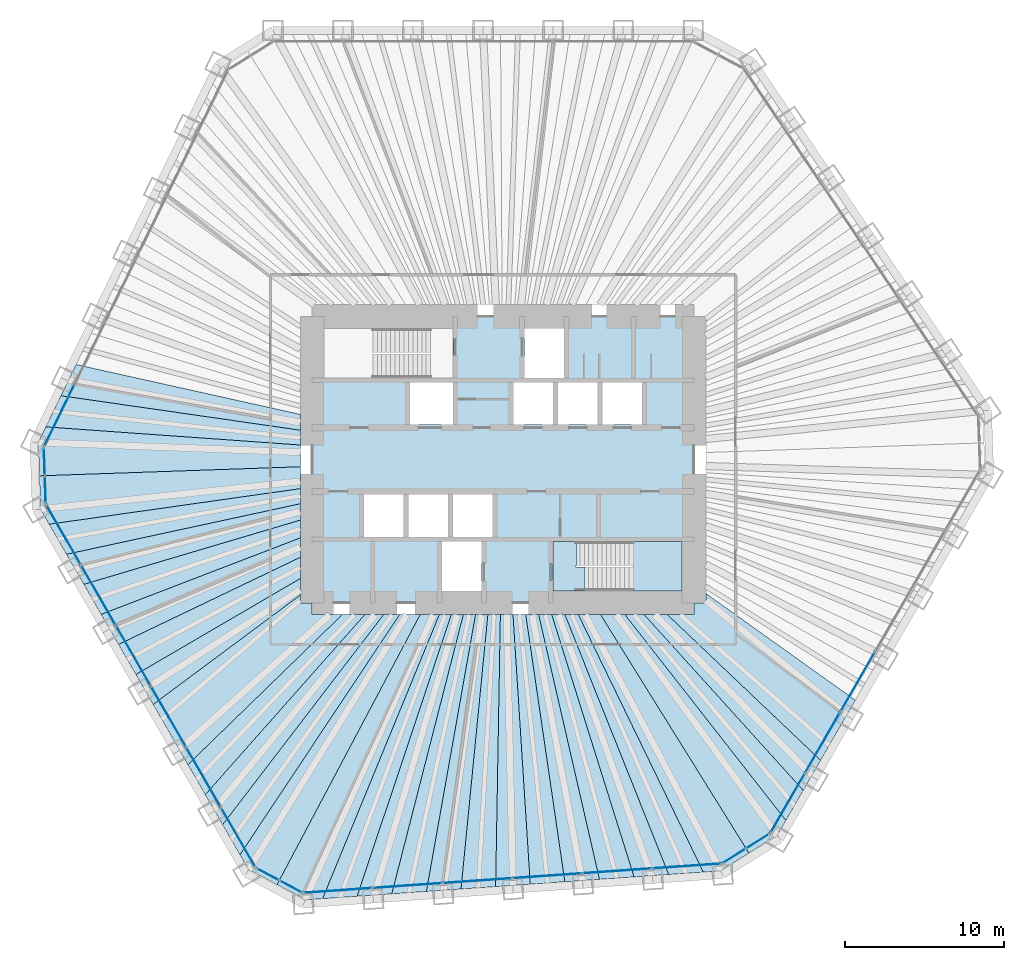
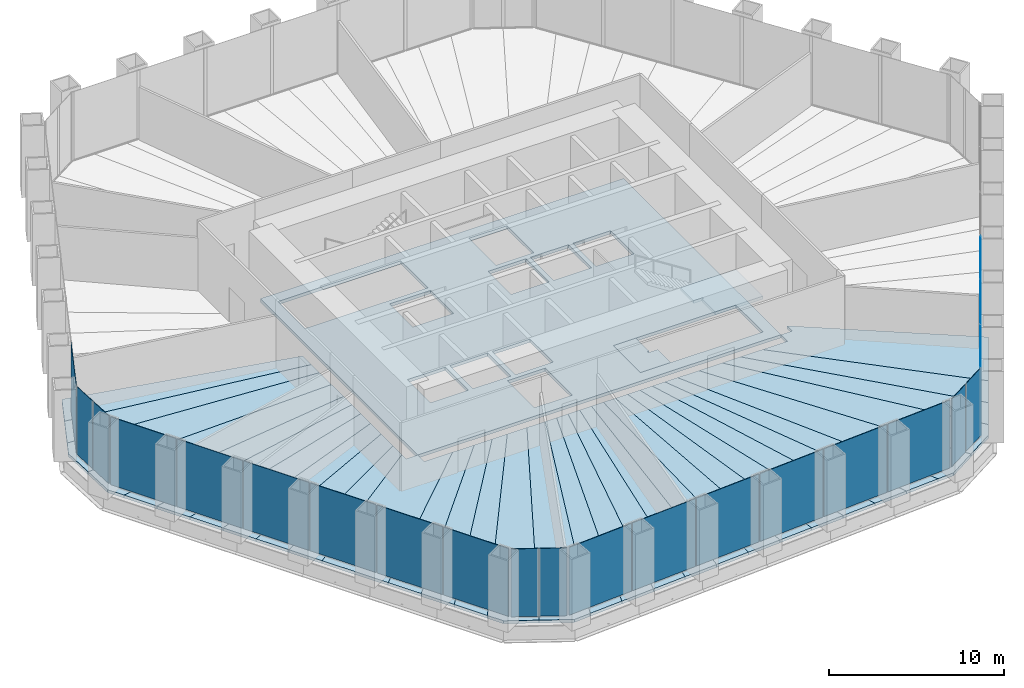
# One storey, part 8 of 13: 35 slabs, 22 plates, 8 elements without a shape of their own.
"""IFC4 building model written with IfcOpenShell, lengths in metres."""

from ifc_helpers import new_model, si_unit, direction, frame, origin, origin_2d, place, context, subcontext, project, spatial, polyline, rectangle, outline, extrude, material, layer, layer_set, type_object, element, aggregate, save


model = new_model("IFC4")

# Units and contexts
model_context = context("Model", 3, precision=1e-05, world=origin(), true_north=direction((0.0, 1.0)))
body_context = subcontext(model_context, "Body", "Model", "MODEL_VIEW")
ifc_project = project(units=[si_unit("LENGTHUNIT", "METRE"), si_unit("AREAUNIT", "SQUARE_METRE"), si_unit("VOLUMEUNIT", "CUBIC_METRE"), si_unit("PLANEANGLEUNIT", "RADIAN"), si_unit("MASSUNIT", "GRAM", prefix="KILO")], contexts=[model_context])

# Site, building, storey
site_placement = place(None, origin())
site = spatial("IfcSite", under=ifc_project, at=site_placement, CompositionType="ELEMENT")
building_placement = place(site_placement, origin())
building = spatial("IfcBuilding", under=site, at=building_placement, Name="Qingtian Harvest Tower", CompositionType="ELEMENT")
storey_placement = place(building_placement, frame((0.0, 0.0, 47.0)))
storey = spatial("IfcBuildingStorey", under=building, at=storey_placement, Name="L09", CompositionType="ELEMENT", Elevation=47.0)

# Slabs
ifc_material_1 = material(Name="Concrete fc' 35 MPa", Category="concrete")
ifc_layer_1 = layer(ifc_material_1, 0.199951171875)
ifc_layer_set_1 = layer_set([ifc_layer_1], Name="Composite floor slab FS20 200")
slab_type_1 = type_object("IfcSlabType", Name="Composite floor slab FS20 200", PredefinedType="FLOOR", material=ifc_layer_set_1)
slab_1_placement = place(storey_placement, frame((0.0, 0.0, -0.199951171875)))
element("IfcSlab", 1, at=slab_1_placement, inside=storey, type_object=slab_type_1, Name="Floor slab L09 panel D01", PredefinedType="FLOOR", context=body_context, shape_type="SweptSolid", body=[
    extrude(outline(polyline([(-29.157470703125, -1.018310546875), (-12.75, -0.447509765625), (-12.75, -1.822998046875), (-28.548583984375, -4.062255859375), (-29.08349609375, -3.135986328125), (-29.157470703125, -1.018310546875)])), origin(), (0.0, 0.0, 1.0), 0.199951171875),
])
slab_2_placement = place(storey_placement, frame((0.0, 0.0, -0.199951171875)))
element("IfcSlab", 2, at=slab_2_placement, inside=storey, type_object=slab_type_1, Name="Floor slab L09 panel D02", PredefinedType="FLOOR", context=body_context, shape_type="SweptSolid", body=[
    extrude(outline(polyline([(-12.75, -2.773681640625), (-27.45751953125, -5.9521484375), (-28.548583984375, -4.062255859375), (-12.75, -1.822998046875), (-12.75, -2.773681640625)])), origin(), (0.0, 0.0, 1.0), 0.199951171875),
])
slab_3_placement = place(storey_placement, frame((0.0, 0.0, -0.199951171875)))
element("IfcSlab", 3, at=slab_3_placement, inside=storey, type_object=slab_type_1, Name="Floor slab L09 panel D03", PredefinedType="FLOOR", context=body_context, shape_type="SweptSolid", body=[
    extrude(outline(polyline([(-12.75, -3.80322265625), (-26.366455078125, -7.842041015625), (-27.45751953125, -5.9521484375), (-12.75, -2.773681640625), (-12.75, -3.80322265625)])), origin(), (0.0, 0.0, 1.0), 0.199951171875),
])
slab_4_placement = place(storey_placement, frame((0.0, 0.0, -0.199951171875)))
element("IfcSlab", 4, at=slab_4_placement, inside=storey, type_object=slab_type_1, Name="Floor slab L09 panel D04", PredefinedType="FLOOR", context=body_context, shape_type="SweptSolid", body=[
    extrude(outline(polyline([(-12.75, -4.921875), (-25.275146484375, -9.732177734375), (-26.366455078125, -7.842041015625), (-12.75, -3.80322265625), (-12.75, -4.921875)])), origin(), (0.0, 0.0, 1.0), 0.199951171875),
])
slab_5_placement = place(storey_placement, frame((0.0, 0.0, -0.199951171875)))
element("IfcSlab", 5, at=slab_5_placement, inside=storey, type_object=slab_type_1, Name="Floor slab L09 panel D05", PredefinedType="FLOOR", context=body_context, shape_type="SweptSolid", body=[
    extrude(outline(polyline([(-12.75, -6.141357421875), (-24.18408203125, -11.6220703125), (-25.275146484375, -9.732177734375), (-12.75, -4.921875), (-12.75, -6.141357421875)])), origin(), (0.0, 0.0, 1.0), 0.199951171875),
])
slab_6_placement = place(storey_placement, frame((0.0, 0.0, -0.199951171875)))
element("IfcSlab", 6, at=slab_6_placement, inside=storey, type_object=slab_type_1, Name="Floor slab L09 panel D06", PredefinedType="FLOOR", context=body_context, shape_type="SweptSolid", body=[
    extrude(outline(polyline([(-12.75, -7.4765625), (-23.0927734375, -13.511962890625), (-24.18408203125, -11.6220703125), (-12.75, -6.141357421875), (-12.75, -7.4765625)])), origin(), (0.0, 0.0, 1.0), 0.199951171875),
])
slab_7_placement = place(storey_placement, frame((0.0, 0.0, -0.199951171875)))
element("IfcSlab", 7, at=slab_7_placement, inside=storey, type_object=slab_type_1, Name="Floor slab L09 panel D07", PredefinedType="FLOOR", context=body_context, shape_type="SweptSolid", body=[
    extrude(outline(polyline([(-12.75, -8.512451171875), (-22.00537109375, -15.3955078125), (-23.0927734375, -13.511962890625), (-12.75, -7.4765625), (-12.75, -8.512451171875)])), origin(), (0.0, 0.0, 1.0), 0.199951171875),
])
slab_8_placement = place(storey_placement, frame((0.0, 0.0, -0.199951171875)))
element("IfcSlab", 8, at=slab_8_placement, inside=storey, type_object=slab_type_1, Name="Floor slab L09 panel D09", PredefinedType="FLOOR", context=body_context, shape_type="SweptSolid", body=[
    extrude(outline(polyline([(-19.81982421875, -19.18115234375), (-22.00537109375, -15.3955078125), (-12.75, -8.512451171875), (-12.75, -9.0), (-12.0, -9.0), (-12.0, -9.75), (-10.1123046875, -9.75), (-19.81982421875, -19.18115234375)])), origin(), (0.0, 0.0, 1.0), 0.199951171875),
])
slab_9_placement = place(storey_placement, frame((0.0, 0.0, -0.199951171875)))
element("IfcSlab", 9, at=slab_9_placement, inside=storey, type_object=slab_type_1, Name="Floor slab L09 panel D10", PredefinedType="FLOOR", context=body_context, shape_type="SweptSolid", body=[
    extrude(outline(polyline([(-8.694580078125, -9.75), (-18.728515625, -21.0712890625), (-19.81982421875, -19.18115234375), (-10.1123046875, -9.75), (-8.694580078125, -9.75)])), origin(), (0.0, 0.0, 1.0), 0.199951171875),
])
slab_10_placement = place(storey_placement, frame((0.0, 0.0, -0.199951171875)))
element("IfcSlab", 10, at=slab_10_placement, inside=storey, type_object=slab_type_1, Name="Floor slab L09 panel D11", PredefinedType="FLOOR", context=body_context, shape_type="SweptSolid", body=[
    extrude(outline(polyline([(-7.511474609375, -9.75), (-17.63720703125, -22.961181640625), (-18.728515625, -21.0712890625), (-8.694580078125, -9.75), (-7.511474609375, -9.75)])), origin(), (0.0, 0.0, 1.0), 0.199951171875),
])
slab_11_placement = place(storey_placement, frame((0.0, 0.0, -0.199951171875)))
element("IfcSlab", 11, at=slab_11_placement, inside=storey, type_object=slab_type_1, Name="Floor slab L09 panel D12", PredefinedType="FLOOR", context=body_context, shape_type="SweptSolid", body=[
    extrude(outline(polyline([(-6.509033203125, -9.75), (-16.546142578125, -24.851318359375), (-17.63720703125, -22.961181640625), (-7.511474609375, -9.75), (-6.509033203125, -9.75)])), origin(), (0.0, 0.0, 1.0), 0.199951171875),
])
slab_12_placement = place(storey_placement, frame((0.0, 0.0, -0.199951171875)))
element("IfcSlab", 12, at=slab_12_placement, inside=storey, type_object=slab_type_1, Name="Floor slab L09 panel D13", PredefinedType="FLOOR", context=body_context, shape_type="SweptSolid", body=[
    extrude(outline(polyline([(-6.509033203125, -9.75), (-5.213623046875, -9.75), (-14.214599609375, -26.73291015625), (-16.01123046875, -25.777587890625), (-16.546142578125, -24.851318359375), (-6.509033203125, -9.75)])), origin(), (0.0, 0.0, 1.0), 0.199951171875),
])
slab_13_placement = place(storey_placement, frame((0.0, 0.0, -0.199951171875)))
element("IfcSlab", 13, at=slab_13_placement, inside=storey, type_object=slab_type_1, Name="Floor slab L09 panel D14", PredefinedType="FLOOR", context=body_context, shape_type="SweptSolid", body=[
    extrude(outline(polyline([(-5.213623046875, -9.75), (-4.006591796875, -9.75), (-11.350341796875, -27.614013671875), (-12.417236328125, -27.688720703125), (-14.214599609375, -26.73291015625), (-5.213623046875, -9.75)])), origin(), (0.0, 0.0, 1.0), 0.199951171875),
])
slab_14_placement = place(storey_placement, frame((0.0, 0.0, -0.199951171875)))
element("IfcSlab", 14, at=slab_14_placement, inside=storey, type_object=slab_type_1, Name="Floor slab L09 panel D15", PredefinedType="FLOOR", context=body_context, shape_type="SweptSolid", body=[
    extrude(outline(polyline([(-3.255859375, -9.75), (-9.17333984375, -27.4619140625), (-11.350341796875, -27.614013671875), (-4.006591796875, -9.75), (-3.255859375, -9.75)])), origin(), (0.0, 0.0, 1.0), 0.199951171875),
])
slab_15_placement = place(storey_placement, frame((0.0, 0.0, -0.199951171875)))
element("IfcSlab", 15, at=slab_15_placement, inside=storey, type_object=slab_type_1, Name="Floor slab L09 panel D16", PredefinedType="FLOOR", context=body_context, shape_type="SweptSolid", body=[
    extrude(outline(polyline([(-2.496826171875, -9.75), (-6.996337890625, -27.3095703125), (-9.17333984375, -27.4619140625), (-3.255859375, -9.75), (-2.496826171875, -9.75)])), origin(), (0.0, 0.0, 1.0), 0.199951171875),
])
slab_16_placement = place(storey_placement, frame((0.0, 0.0, -0.199951171875)))
element("IfcSlab", 16, at=slab_16_placement, inside=storey, type_object=slab_type_1, Name="Floor slab L09 panel D17", PredefinedType="FLOOR", context=body_context, shape_type="SweptSolid", body=[
    extrude(outline(polyline([(-1.729248046875, -9.75), (-4.8193359375, -27.1572265625), (-6.996337890625, -27.3095703125), (-2.496826171875, -9.75), (-1.729248046875, -9.75)])), origin(), (0.0, 0.0, 1.0), 0.199951171875),
])
slab_17_placement = place(storey_placement, frame((0.0, 0.0, -0.199951171875)))
element("IfcSlab", 17, at=slab_17_placement, inside=storey, type_object=slab_type_1, Name="Floor slab L09 panel D18", PredefinedType="FLOOR", context=body_context, shape_type="SweptSolid", body=[
    extrude(outline(polyline([(-0.952880859375, -9.75), (-2.642333984375, -27.005126953125), (-4.8193359375, -27.1572265625), (-1.729248046875, -9.75), (-0.952880859375, -9.75)])), origin(), (0.0, 0.0, 1.0), 0.199951171875),
])
slab_18_placement = place(storey_placement, frame((0.0, 0.0, -0.199951171875)))
element("IfcSlab", 18, at=slab_18_placement, inside=storey, type_object=slab_type_1, Name="Floor slab L09 panel D19", PredefinedType="FLOOR", context=body_context, shape_type="SweptSolid", body=[
    extrude(outline(polyline([(-0.16796875, -9.75), (-0.46533203125, -26.852783203125), (-2.642333984375, -27.005126953125), (-0.952880859375, -9.75), (-0.16796875, -9.75)])), origin(), (0.0, 0.0, 1.0), 0.199951171875),
])
slab_19_placement = place(storey_placement, frame((0.0, 0.0, -0.199951171875)))
element("IfcSlab", 19, at=slab_19_placement, inside=storey, type_object=slab_type_1, Name="Floor slab L09 panel D20", PredefinedType="FLOOR", context=body_context, shape_type="SweptSolid", body=[
    extrude(outline(polyline([(0.626220703125, -9.75), (1.711669921875, -26.70068359375), (-0.46533203125, -26.852783203125), (-0.16796875, -9.75), (0.626220703125, -9.75)])), origin(), (0.0, 0.0, 1.0), 0.199951171875),
])
slab_20_placement = place(storey_placement, frame((0.0, 0.0, -0.199951171875)))
element("IfcSlab", 20, at=slab_20_placement, inside=storey, type_object=slab_type_1, Name="Floor slab L09 panel D21", PredefinedType="FLOOR", context=body_context, shape_type="SweptSolid", body=[
    extrude(outline(polyline([(1.42919921875, -9.75), (3.888671875, -26.54833984375), (1.711669921875, -26.70068359375), (0.626220703125, -9.75), (1.42919921875, -9.75)])), origin(), (0.0, 0.0, 1.0), 0.199951171875),
])
slab_21_placement = place(storey_placement, frame((0.0, 0.0, -0.199951171875)))
element("IfcSlab", 21, at=slab_21_placement, inside=storey, type_object=slab_type_1, Name="Floor slab L09 panel D22", PredefinedType="FLOOR", context=body_context, shape_type="SweptSolid", body=[
    extrude(outline(polyline([(2.24169921875, -9.75), (6.065673828125, -26.396240234375), (3.888671875, -26.54833984375), (1.42919921875, -9.75), (2.24169921875, -9.75)])), origin(), (0.0, 0.0, 1.0), 0.199951171875),
])
slab_22_placement = place(storey_placement, frame((0.0, 0.0, -0.199951171875)))
element("IfcSlab", 22, at=slab_22_placement, inside=storey, type_object=slab_type_1, Name="Floor slab L09 panel D23", PredefinedType="FLOOR", context=body_context, shape_type="SweptSolid", body=[
    extrude(outline(polyline([(3.0634765625, -9.75), (8.24267578125, -26.243896484375), (6.065673828125, -26.396240234375), (2.24169921875, -9.75), (3.0634765625, -9.75)])), origin(), (0.0, 0.0, 1.0), 0.199951171875),
])
slab_23_placement = place(storey_placement, frame((0.0, 0.0, -0.199951171875)))
element("IfcSlab", 23, at=slab_23_placement, inside=storey, type_object=slab_type_1, Name="Floor slab L09 panel D24", PredefinedType="FLOOR", context=body_context, shape_type="SweptSolid", body=[
    extrude(outline(polyline([(3.894775390625, -9.75), (10.419677734375, -26.091796875), (8.24267578125, -26.243896484375), (3.0634765625, -9.75), (3.894775390625, -9.75)])), origin(), (0.0, 0.0, 1.0), 0.199951171875),
])
slab_24_placement = place(storey_placement, frame((0.0, 0.0, -0.199951171875)))
element("IfcSlab", 24, at=slab_24_placement, inside=storey, type_object=slab_type_1, Name="Floor slab L09 panel D25", PredefinedType="FLOOR", context=body_context, shape_type="SweptSolid", body=[
    extrude(outline(polyline([(4.736083984375, -9.75), (12.5966796875, -25.939453125), (10.419677734375, -26.091796875), (3.894775390625, -9.75), (4.736083984375, -9.75)])), origin(), (0.0, 0.0, 1.0), 0.199951171875),
])
slab_25_placement = place(storey_placement, frame((0.0, 0.0, -0.199951171875)))
element("IfcSlab", 25, at=slab_25_placement, inside=storey, type_object=slab_type_1, Name="Floor slab L09 panel D26", PredefinedType="FLOOR", context=body_context, shape_type="SweptSolid", body=[
    extrude(outline(polyline([(4.736083984375, -9.75), (6.136474609375, -9.75), (15.4609375, -24.74169921875), (13.663330078125, -25.864990234375), (12.5966796875, -25.939453125), (4.736083984375, -9.75)])), origin(), (0.0, 0.0, 1.0), 0.199951171875),
])
slab_26_placement = place(storey_placement, frame((0.0, 0.0, -0.199951171875)))
element("IfcSlab", 26, at=slab_26_placement, inside=storey, type_object=slab_type_1, Name="Floor slab L09 panel D27", PredefinedType="FLOOR", context=body_context, shape_type="SweptSolid", body=[
    extrude(outline(polyline([(6.136474609375, -9.75), (7.66748046875, -9.75), (17.79248046875, -22.692626953125), (17.257568359375, -23.618896484375), (15.4609375, -24.74169921875), (6.136474609375, -9.75)])), origin(), (0.0, 0.0, 1.0), 0.199951171875),
])
slab_27_placement = place(storey_placement, frame((0.0, 0.0, -0.199951171875)))
element("IfcSlab", 27, at=slab_27_placement, inside=storey, type_object=slab_type_1, Name="Floor slab L09 panel D28", PredefinedType="FLOOR", context=body_context, shape_type="SweptSolid", body=[
    extrude(outline(polyline([(8.88037109375, -9.75), (18.883544921875, -20.802734375), (17.79248046875, -22.692626953125), (7.66748046875, -9.75), (8.88037109375, -9.75)])), origin(), (0.0, 0.0, 1.0), 0.199951171875),
])
slab_28_placement = place(storey_placement, frame((0.0, 0.0, -0.199951171875)))
element("IfcSlab", 28, at=slab_28_placement, inside=storey, type_object=slab_type_1, Name="Floor slab L09 panel D29", PredefinedType="FLOOR", context=body_context, shape_type="SweptSolid", body=[
    extrude(outline(polyline([(10.337158203125, -9.75), (19.974853515625, -18.91259765625), (18.883544921875, -20.802734375), (8.88037109375, -9.75), (10.337158203125, -9.75)])), origin(), (0.0, 0.0, 1.0), 0.199951171875),
])
slab_29_placement = place(storey_placement, frame((0.0, 0.0, -0.199951171875)))
element("IfcSlab", 29, at=slab_29_placement, inside=storey, type_object=slab_type_1, Name="Floor slab L09 panel D31", PredefinedType="FLOOR", context=body_context, shape_type="SweptSolid", body=[
    extrude(outline(polyline([(12.75, -8.4091796875), (22.159423828125, -15.128662109375), (19.974853515625, -18.91259765625), (10.337158203125, -9.75), (12.0, -9.75), (12.0, -9.0), (12.75, -9.0), (12.75, -8.4091796875)])), origin(), (0.0, 0.0, 1.0), 0.199951171875),
])
slab_30_placement = place(storey_placement, frame((0.0, 0.0, -0.199951171875)))
element("IfcSlab", 30, at=slab_30_placement, inside=storey, type_object=slab_type_1, Name="Floor slab L09 panel D76", PredefinedType="FLOOR", context=body_context, shape_type="SweptSolid", body=[
    extrude(outline(polyline([(-12.75, 1.8525390625), (-27.805908203125, 4.022216796875), (-26.84912109375, 5.98388671875), (-12.75, 2.8505859375), (-12.75, 1.8525390625)])), origin(), (0.0, 0.0, 1.0), 0.199951171875),
])
slab_31_placement = place(storey_placement, frame((0.0, 0.0, -0.199951171875)))
element("IfcSlab", 31, at=slab_31_placement, inside=storey, type_object=slab_type_1, Name="Floor slab L09 panel D77", PredefinedType="FLOOR", context=body_context, shape_type="SweptSolid", body=[
    extrude(outline(polyline([(-12.75, 0.9208984375), (-28.762451171875, 2.060791015625), (-27.805908203125, 4.022216796875), (-12.75, 1.8525390625), (-12.75, 0.9208984375)])), origin(), (0.0, 0.0, 1.0), 0.199951171875),
])
slab_32_placement = place(storey_placement, frame((0.0, 0.0, -0.199951171875)))
element("IfcSlab", 32, at=slab_32_placement, inside=storey, type_object=slab_type_1, Name="Floor slab L09 panel D78", PredefinedType="FLOOR", context=body_context, shape_type="SweptSolid", body=[
    extrude(outline(polyline([(-12.75, 0.9208984375), (-12.75, -0.447509765625), (-29.157470703125, -1.018310546875), (-29.2314453125, 1.099609375), (-28.762451171875, 2.060791015625), (-12.75, 0.9208984375)])), origin(), (0.0, 0.0, 1.0), 0.199951171875),
])
ifc_material_2 = material(Name="Concrete fc' 35 MPa", Category="concrete")
ifc_layer_2 = layer(ifc_material_2, 0.219970703125)
ifc_layer_set_2 = layer_set([ifc_layer_2], Name="Core floor slab CS22 220")
slab_type_2 = type_object("IfcSlabType", Name="Core floor slab CS22 220", PredefinedType="FLOOR", material=ifc_layer_set_2)
slab_33_placement = place(storey_placement, frame((0.0, 0.0, -0.219970703125)))
element("IfcSlab", 33, at=slab_33_placement, inside=storey, type_object=slab_type_2, Name="Core floor slab L09", PredefinedType="FLOOR", context=body_context, shape_type="SweptSolid", body=[
    extrude(outline(polyline([(-12.0, -9.0), (12.0, -9.0), (12.0, 9.0), (-12.0, 9.0), (-12.0, -9.0)]), holes=[polyline([(-11.25, 5.14990234375), (-3.14990234375, 5.14990234375), (-3.14990234375, 8.25), (-11.25, 8.25), (-11.25, 5.14990234375)]), polyline([(3.14990234375, -8.25), (11.25, -8.25), (11.25, -5.14990234375), (3.14990234375, -5.14990234375), (3.14990234375, -8.25)]), polyline([(1.35009765625, 5.14990234375), (3.85009765625, 5.14990234375), (3.85009765625, 8.25), (1.35009765625, 8.25), (1.35009765625, 5.14990234375)]), polyline([(-3.85009765625, -8.25), (-1.35009765625, -8.25), (-1.35009765625, -5.14990234375), (-3.85009765625, -5.14990234375), (-3.85009765625, -8.25)]), polyline([(-5.85009765625, 2.199951171875), (-3.14990234375, 2.199951171875), (-3.14990234375, 4.85009765625), (-5.85009765625, 4.85009765625), (-5.85009765625, 2.199951171875)]), polyline([(0.64990234375, 2.199951171875), (3.14990234375, 2.199951171875), (3.14990234375, 4.85009765625), (0.64990234375, 4.85009765625), (0.64990234375, 2.199951171875)]), polyline([(3.449951171875, 2.199951171875), (5.949951171875, 2.199951171875), (5.949951171875, 4.85009765625), (3.449951171875, 4.85009765625), (3.449951171875, 2.199951171875)]), polyline([(6.25, 2.199951171875), (8.75, 2.199951171875), (8.75, 4.85009765625), (6.25, 4.85009765625), (6.25, 2.199951171875)]), polyline([(-8.75, -4.85009765625), (-6.25, -4.85009765625), (-6.25, -2.199951171875), (-8.75, -2.199951171875), (-8.75, -4.85009765625)]), polyline([(-5.949951171875, -4.85009765625), (-3.449951171875, -4.85009765625), (-3.449951171875, -2.199951171875), (-5.949951171875, -2.199951171875), (-5.949951171875, -4.85009765625)]), polyline([(-3.14990234375, -4.85009765625), (-0.64990234375, -4.85009765625), (-0.64990234375, -2.199951171875), (-3.14990234375, -2.199951171875), (-3.14990234375, -4.85009765625)])]), origin(), (0.0, 0.0, 1.0), 0.219970703125),
])

# Curtain wall, plates
ifc_material_3 = material(Name="Bronze-anodised aluminium curtain wall", Category="aluminium")
curtain_wall_type = type_object("IfcCurtainWallType", Name="Curtain wall CW2 farm reception", PredefinedType="USERDEFINED", material=ifc_material_3)
curtain_wall_1_placement = place(storey_placement, origin())
curtain_wall_1 = element("IfcCurtainWall", 34, at=curtain_wall_1_placement, inside=storey, type_object=curtain_wall_type, Name="Curtain wall CW2 L09 SE0-5", ObjectType="RECESSED CURTAIN WALL", PredefinedType="USERDEFINED")
ifc_material_4 = material(Name="Bronze-tinted laminated insulating glass", Category="glass")
ifc_layer_3 = layer(ifc_material_4, 0.030029296875)
ifc_layer_set_3 = layer_set([ifc_layer_3], Name="Glazed panel CWP tinted IGU")
plate_type = type_object("IfcPlateType", Name="Glazed panel CWP tinted IGU", PredefinedType="CURTAIN_PANEL", material=ifc_layer_set_3)
plate_1_placement = place(storey_placement, frame((22.30419921875, -13.968017578125, 0.06494140625), z_axis=(0.0, 0.0, 1.0), x_axis=(-0.5, -0.866025403784, 0.0)))
plate_1 = element("IfcPlate", 35, at=plate_1_placement, type_object=plate_type, Name="CW2 panel 4.1", PredefinedType="CURTAIN_PANEL", context=body_context, shape_type="SweptSolid", body=[
    extrude(rectangle(XDim=4.339599609375, YDim=0.030029296875, at=origin_2d()), origin(), (0.0, 0.0, 1.0), 4.735107421875),
])
plate_2_placement = place(storey_placement, frame((20.101806640625, -17.782470703125, 0.06494140625), z_axis=(0.0, 0.0, 1.0), x_axis=(-0.5, -0.866025403784, 0.0)))
plate_2 = element("IfcPlate", 36, at=plate_2_placement, type_object=plate_type, Name="CW2 panel 5.1", PredefinedType="CURTAIN_PANEL", context=body_context, shape_type="SweptSolid", body=[
    extrude(rectangle(XDim=4.339599609375, YDim=0.030029296875, at=origin_2d()), origin(), (0.0, 0.0, 1.0), 4.735107421875),
])
plate_3_placement = place(storey_placement, frame((17.90771484375, -21.5830078125, 0.06494140625), z_axis=(0.0, 0.0, 1.0), x_axis=(-0.5, -0.866025403784, 0.0)))
plate_3 = element("IfcPlate", 37, at=plate_3_placement, type_object=plate_type, Name="CW2 panel 6.1", PredefinedType="CURTAIN_PANEL", context=body_context, shape_type="SweptSolid", body=[
    extrude(rectangle(XDim=4.30712890625, YDim=0.030029296875, at=origin_2d()), origin(), (0.0, 0.0, 1.0), 4.735107421875),
])
aggregate(curtain_wall_1, [plate_1, plate_2, plate_3])

curtain_wall_2_placement = place(storey_placement, origin())
curtain_wall_2 = element("IfcCurtainWall", 38, at=curtain_wall_2_placement, inside=storey, type_object=curtain_wall_type, Name="Curtain wall CW2 L09 SEC", ObjectType="RECESSED CURTAIN WALL", PredefinedType="USERDEFINED")
plate_4_placement = place(storey_placement, frame((16.025390625, -23.9873046875, 0.06494140625), z_axis=(0.0, 0.0, 1.0), x_axis=(-0.848048096156, -0.529919264233, 0.0)))
plate_4 = element("IfcPlate", 39, at=plate_4_placement, type_object=plate_type, Name="CW2 panel 1.1", PredefinedType="CURTAIN_PANEL", context=body_context, shape_type="SweptSolid", body=[
    extrude(rectangle(XDim=1.69287109375, YDim=0.030029296875, at=origin_2d()), origin(), (0.0, 0.0, 1.0), 4.735107421875),
])
plate_5_placement = place(storey_placement, frame((14.53466796875, -24.9189453125, 0.06494140625), z_axis=(0.0, 0.0, 1.0), x_axis=(-0.848048096156, -0.529919264233, 0.0)))
plate_5 = element("IfcPlate", 40, at=plate_5_placement, type_object=plate_type, Name="CW2 panel 2.1", PredefinedType="CURTAIN_PANEL", context=body_context, shape_type="SweptSolid", body=[
    extrude(rectangle(XDim=1.69287109375, YDim=0.030029296875, at=origin_2d()), origin(), (0.0, 0.0, 1.0), 4.735107421875),
])
aggregate(curtain_wall_2, [plate_4, plate_5])

curtain_wall_3_placement = place(storey_placement, origin())
curtain_wall_3 = element("IfcCurtainWall", 41, at=curtain_wall_3_placement, inside=storey, type_object=curtain_wall_type, Name="Curtain wall CW2 L09 S0-5", ObjectType="RECESSED CURTAIN WALL", PredefinedType="USERDEFINED")
plate_6_placement = place(storey_placement, frame((11.548583984375, -25.556640625, 0.06494140625), z_axis=(0.0, 0.0, 1.0), x_axis=(-0.99756405026, -0.069756473744, 0.0)))
plate_6 = element("IfcPlate", 42, at=plate_6_placement, type_object=plate_type, Name="CW2 panel 1.1", PredefinedType="CURTAIN_PANEL", context=body_context, shape_type="SweptSolid", body=[
    extrude(rectangle(XDim=4.30712890625, YDim=0.030029296875, at=origin_2d()), origin(), (0.0, 0.0, 1.0), 4.735107421875),
])
plate_7_placement = place(storey_placement, frame((7.1708984375, -25.86279296875, 0.06494140625), z_axis=(0.0, 0.0, 1.0), x_axis=(-0.99756405026, -0.069756473744, 0.0)))
plate_7 = element("IfcPlate", 43, at=plate_7_placement, type_object=plate_type, Name="CW2 panel 2.1", PredefinedType="CURTAIN_PANEL", context=body_context, shape_type="SweptSolid", body=[
    extrude(rectangle(XDim=4.339599609375, YDim=0.030029296875, at=origin_2d()), origin(), (0.0, 0.0, 1.0), 4.735107421875),
])
plate_8_placement = place(storey_placement, frame((2.77685546875, -26.169921875, 0.06494140625), z_axis=(0.0, 0.0, 1.0), x_axis=(-0.99756405026, -0.069756473744, 0.0)))
plate_8 = element("IfcPlate", 44, at=plate_8_placement, type_object=plate_type, Name="CW2 panel 3.1", PredefinedType="CURTAIN_PANEL", context=body_context, shape_type="SweptSolid", body=[
    extrude(rectangle(XDim=4.339599609375, YDim=0.030029296875, at=origin_2d()), origin(), (0.0, 0.0, 1.0), 4.735107421875),
])
plate_9_placement = place(storey_placement, frame((-1.616943359375, -26.477294921875, 0.06494140625), z_axis=(0.0, 0.0, 1.0), x_axis=(-0.99756405026, -0.069756473744, 0.0)))
plate_9 = element("IfcPlate", 45, at=plate_9_placement, type_object=plate_type, Name="CW2 panel 4.1", PredefinedType="CURTAIN_PANEL", context=body_context, shape_type="SweptSolid", body=[
    extrude(rectangle(XDim=4.339599609375, YDim=0.030029296875, at=origin_2d()), origin(), (0.0, 0.0, 1.0), 4.735107421875),
])
plate_10_placement = place(storey_placement, frame((-6.0107421875, -26.784423828125, 0.06494140625), z_axis=(0.0, 0.0, 1.0), x_axis=(-0.99756405026, -0.069756473744, 0.0)))
plate_10 = element("IfcPlate", 46, at=plate_10_placement, type_object=plate_type, Name="CW2 panel 5.1", PredefinedType="CURTAIN_PANEL", context=body_context, shape_type="SweptSolid", body=[
    extrude(rectangle(XDim=4.339599609375, YDim=0.030029296875, at=origin_2d()), origin(), (0.0, 0.0, 1.0), 4.735107421875),
])
plate_11_placement = place(storey_placement, frame((-10.388427734375, -27.090576171875, 0.06494140625), z_axis=(0.0, 0.0, 1.0), x_axis=(-0.99756405026, -0.069756473744, 0.0)))
plate_11 = element("IfcPlate", 47, at=plate_11_placement, type_object=plate_type, Name="CW2 panel 6.1", PredefinedType="CURTAIN_PANEL", context=body_context, shape_type="SweptSolid", body=[
    extrude(rectangle(XDim=4.30712890625, YDim=0.030029296875, at=origin_2d()), origin(), (0.0, 0.0, 1.0), 4.735107421875),
])
aggregate(curtain_wall_3, [plate_6, plate_7, plate_8, plate_9, plate_10, plate_11])

curtain_wall_4_placement = place(storey_placement, origin())
curtain_wall_4 = element("IfcCurtainWall", 48, at=curtain_wall_4_placement, inside=storey, type_object=curtain_wall_type, Name="Curtain wall CW2 L09 SC", ObjectType="RECESSED CURTAIN WALL", PredefinedType="USERDEFINED")
plate_12_placement = place(storey_placement, frame((-13.350830078125, -26.84716796875, 0.06494140625), z_axis=(0.0, 0.0, 1.0), x_axis=(-0.882947592859, 0.469471562786, 0.0)))
plate_12 = element("IfcPlate", 49, at=plate_12_placement, type_object=plate_type, Name="CW2 panel 1.1", PredefinedType="CURTAIN_PANEL", context=body_context, shape_type="SweptSolid", body=[
    extrude(rectangle(XDim=1.56689453125, YDim=0.030029296875, at=origin_2d()), origin(), (0.0, 0.0, 1.0), 4.735107421875),
])
plate_13_placement = place(storey_placement, frame((-14.79150390625, -26.0810546875, 0.06494140625), z_axis=(0.0, 0.0, 1.0), x_axis=(-0.882947592859, 0.469471562786, 0.0)))
plate_13 = element("IfcPlate", 50, at=plate_13_placement, type_object=plate_type, Name="CW2 panel 2.1", PredefinedType="CURTAIN_PANEL", context=body_context, shape_type="SweptSolid", body=[
    extrude(rectangle(XDim=1.56689453125, YDim=0.030029296875, at=origin_2d()), origin(), (0.0, 0.0, 1.0), 4.735107421875),
])
aggregate(curtain_wall_4, [plate_12, plate_13])

curtain_wall_5_placement = place(storey_placement, origin())
curtain_wall_5 = element("IfcCurtainWall", 51, at=curtain_wall_5_placement, inside=storey, type_object=curtain_wall_type, Name="Curtain wall CW2 L09 SW0-5", ObjectType="RECESSED CURTAIN WALL", PredefinedType="USERDEFINED")
plate_14_placement = place(storey_placement, frame((-16.64990234375, -23.76123046875, 0.06494140625), z_axis=(0.0, 0.0, 1.0), x_axis=(-0.5, 0.866025403784, 0.0)))
plate_14 = element("IfcPlate", 52, at=plate_14_placement, type_object=plate_type, Name="CW2 panel 1.1", PredefinedType="CURTAIN_PANEL", context=body_context, shape_type="SweptSolid", body=[
    extrude(rectangle(XDim=4.30712890625, YDim=0.030029296875, at=origin_2d()), origin(), (0.0, 0.0, 1.0), 4.735107421875),
])
plate_15_placement = place(storey_placement, frame((-18.84423828125, -19.9609375, 0.06494140625), z_axis=(0.0, 0.0, 1.0), x_axis=(-0.5, 0.866025403784, 0.0)))
plate_15 = element("IfcPlate", 53, at=plate_15_placement, type_object=plate_type, Name="CW2 panel 2.1", PredefinedType="CURTAIN_PANEL", context=body_context, shape_type="SweptSolid", body=[
    extrude(rectangle(XDim=4.339599609375, YDim=0.030029296875, at=origin_2d()), origin(), (0.0, 0.0, 1.0), 4.735107421875),
])
plate_16_placement = place(storey_placement, frame((-21.04638671875, -16.146484375, 0.06494140625), z_axis=(0.0, 0.0, 1.0), x_axis=(-0.5, 0.866025403784, 0.0)))
plate_16 = element("IfcPlate", 54, at=plate_16_placement, type_object=plate_type, Name="CW2 panel 3.1", PredefinedType="CURTAIN_PANEL", context=body_context, shape_type="SweptSolid", body=[
    extrude(rectangle(XDim=4.339599609375, YDim=0.030029296875, at=origin_2d()), origin(), (0.0, 0.0, 1.0), 4.735107421875),
])
plate_17_placement = place(storey_placement, frame((-23.248779296875, -12.33203125, 0.06494140625), z_axis=(0.0, 0.0, 1.0), x_axis=(-0.5, 0.866025403784, 0.0)))
plate_17 = element("IfcPlate", 55, at=plate_17_placement, type_object=plate_type, Name="CW2 panel 4.1", PredefinedType="CURTAIN_PANEL", context=body_context, shape_type="SweptSolid", body=[
    extrude(rectangle(XDim=4.339599609375, YDim=0.030029296875, at=origin_2d()), origin(), (0.0, 0.0, 1.0), 4.735107421875),
])
plate_18_placement = place(storey_placement, frame((-25.451171875, -8.517333984375, 0.06494140625), z_axis=(0.0, 0.0, 1.0), x_axis=(-0.5, 0.866025403784, 0.0)))
plate_18 = element("IfcPlate", 56, at=plate_18_placement, type_object=plate_type, Name="CW2 panel 5.1", PredefinedType="CURTAIN_PANEL", context=body_context, shape_type="SweptSolid", body=[
    extrude(rectangle(XDim=4.339599609375, YDim=0.030029296875, at=origin_2d()), origin(), (0.0, 0.0, 1.0), 4.735107421875),
])
plate_19_placement = place(storey_placement, frame((-27.645263671875, -4.717041015625, 0.06494140625), z_axis=(0.0, 0.0, 1.0), x_axis=(-0.5, 0.866025403784, 0.0)))
plate_19 = element("IfcPlate", 57, at=plate_19_placement, type_object=plate_type, Name="CW2 panel 6.1", PredefinedType="CURTAIN_PANEL", context=body_context, shape_type="SweptSolid", body=[
    extrude(rectangle(XDim=4.30712890625, YDim=0.030029296875, at=origin_2d()), origin(), (0.0, 0.0, 1.0), 4.735107421875),
])
aggregate(curtain_wall_5, [plate_14, plate_15, plate_16, plate_17, plate_18, plate_19])

curtain_wall_6_placement = place(storey_placement, origin())
curtain_wall_6 = element("IfcCurtainWall", 58, at=curtain_wall_6_placement, inside=storey, type_object=curtain_wall_type, Name="Curtain wall CW2 L09 SWC", ObjectType="RECESSED CURTAIN WALL", PredefinedType="USERDEFINED")
plate_20_placement = place(storey_placement, frame((-28.786376953125, -1.884765625, 0.06494140625), z_axis=(0.0, 0.0, 1.0), x_axis=(-0.034899496703, 0.999390827019, 0.0)))
plate_20 = element("IfcPlate", 59, at=plate_20_placement, type_object=plate_type, Name="CW2 panel 1.1", PredefinedType="CURTAIN_PANEL", context=body_context, shape_type="SweptSolid", body=[
    extrude(rectangle(XDim=1.69287109375, YDim=0.030029296875, at=origin_2d()), origin(), (0.0, 0.0, 1.0), 4.735107421875),
])
plate_21_placement = place(storey_placement, frame((-28.84765625, -0.1279296875, 0.06494140625), z_axis=(0.0, 0.0, 1.0), x_axis=(-0.034899496703, 0.999390827019, 0.0)))
plate_21 = element("IfcPlate", 60, at=plate_21_placement, type_object=plate_type, Name="CW2 panel 2.1", PredefinedType="CURTAIN_PANEL", context=body_context, shape_type="SweptSolid", body=[
    extrude(rectangle(XDim=1.69287109375, YDim=0.030029296875, at=origin_2d()), origin(), (0.0, 0.0, 1.0), 4.735107421875),
])
aggregate(curtain_wall_6, [plate_20, plate_21])

# Curtain wall, plate
curtain_wall_7_placement = place(storey_placement, origin())
curtain_wall_7 = element("IfcCurtainWall", 61, at=curtain_wall_7_placement, inside=storey, type_object=curtain_wall_type, Name="Curtain wall CW2 L09 NW0-5", ObjectType="RECESSED CURTAIN WALL", PredefinedType="USERDEFINED")
plate_22_placement = place(storey_placement, frame((-27.906982421875, 2.777099609375, 0.06494140625), z_axis=(0.0, 0.0, 1.0), x_axis=(0.438371146789, 0.898794046299, 0.0)))
plate_22 = element("IfcPlate", 62, at=plate_22_placement, type_object=plate_type, Name="CW2 panel 1.1", PredefinedType="CURTAIN_PANEL", context=body_context, shape_type="SweptSolid", body=[
    extrude(rectangle(XDim=4.30712890625, YDim=0.030029296875, at=origin_2d()), origin(), (0.0, 0.0, 1.0), 4.735107421875),
])
aggregate(curtain_wall_7, [plate_22])

# Stair, slabs
ifc_material_5 = material(Name="Concrete fc' 35 MPa", Category="concrete")
stair_type = type_object("IfcStairType", Name="Special stair ST2 5000", PredefinedType="HALF_TURN_STAIR", material=ifc_material_5)
stair_placement = place(storey_placement, origin())
stair = element("IfcStair", 63, at=stair_placement, inside=storey, type_object=stair_type, Name="Special stair S2 L09", PredefinedType="HALF_TURN_STAIR")
ifc_material_6 = material(Name="Concrete fc' 35 MPa", Category="concrete")
ifc_layer_4 = layer(ifc_material_6, 0.199951171875)
ifc_layer_set_4 = layer_set([ifc_layer_4], Name="Stair landing SL2 200")
slab_type_3 = type_object("IfcSlabType", Name="Stair landing SL2 200", PredefinedType="LANDING", material=ifc_layer_set_4)
slab_34_placement = place(storey_placement, frame((0.0, 0.0, -0.199951171875)))
slab_34 = element("IfcSlab", 64, at=slab_34_placement, type_object=slab_type_3, Name="S2 landing 1", PredefinedType="LANDING", context=body_context, shape_type="SweptSolid", body=[
    extrude(outline(polyline([(5.155029296875, -8.25), (3.14990234375, -8.25), (3.14990234375, -5.14990234375), (4.64990234375, -5.14990234375), (4.64990234375, -6.64990234375), (4.550048828125, -6.64990234375), (4.550048828125, -6.75), (5.155029296875, -6.75), (5.155029296875, -8.25)])), origin(), (0.0, 0.0, 1.0), 0.199951171875),
])
slab_35_placement = place(storey_placement, frame((0.0, 0.0, 2.300048828125)))
slab_35 = element("IfcSlab", 65, at=slab_35_placement, type_object=slab_type_3, Name="S2 landing 2", PredefinedType="LANDING", context=body_context, shape_type="SweptSolid", body=[
    extrude(outline(polyline([(8.090087890625, -8.25), (8.090087890625, -6.75), (8.18994140625, -6.75), (8.18994140625, -6.64990234375), (7.5849609375, -6.64990234375), (7.5849609375, -5.14990234375), (11.25, -5.14990234375), (11.25, -8.25), (8.090087890625, -8.25)])), origin(), (0.0, 0.0, 1.0), 0.199951171875),
])
aggregate(stair, [slab_34, slab_35])

save(model, "model.ifc")
